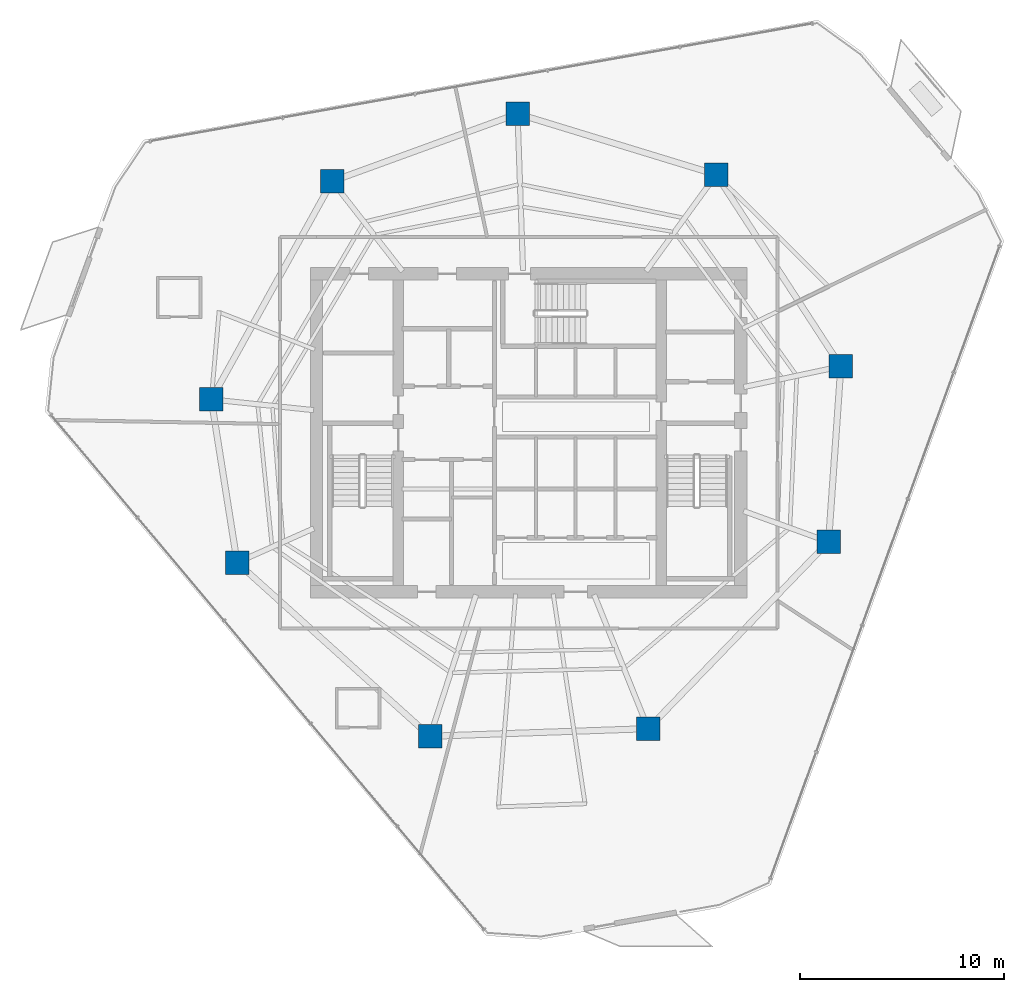
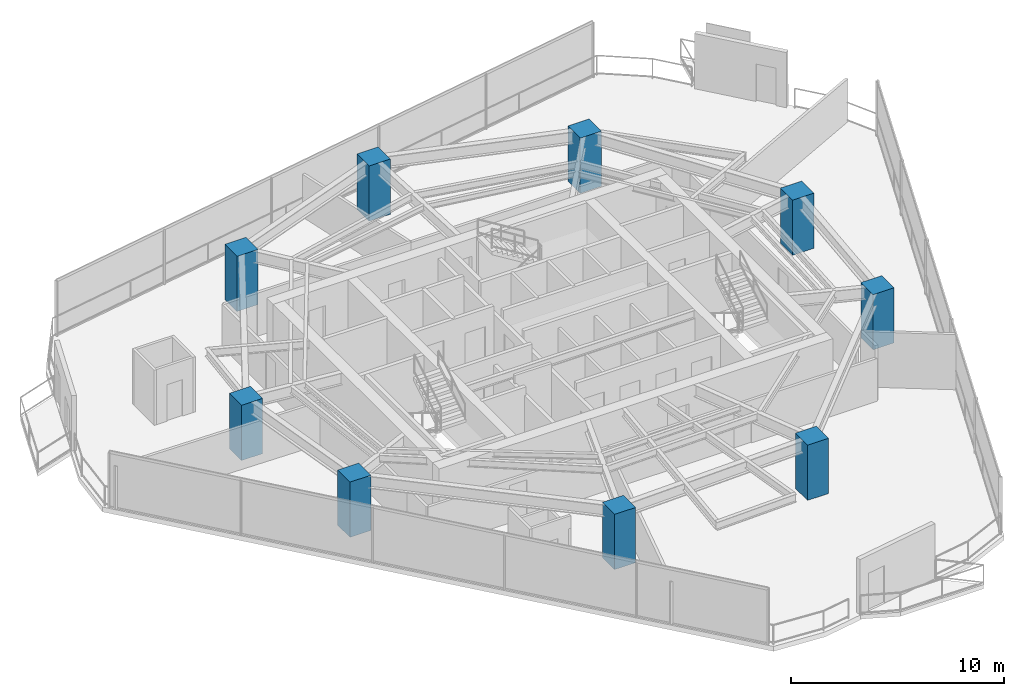
# One storey, part 1 of 27: 9 columns.
"""IFC4 building model written with IfcOpenShell, lengths in metres."""

from ifc_helpers import new_model, si_unit, direction, frame, origin, origin_2d, place, context, subcontext, project, spatial, rectangle, extrude, material, material_profile, profile_set, type_object, element, save


model = new_model("IFC4")

# Units and contexts
model_context = context("Model", 3, precision=1e-05, world=origin(), true_north=direction((0.0, 1.0)))
body_context = subcontext(model_context, "Body", "Model", "MODEL_VIEW")
ifc_project = project(units=[si_unit("LENGTHUNIT", "METRE"), si_unit("AREAUNIT", "SQUARE_METRE"), si_unit("VOLUMEUNIT", "CUBIC_METRE"), si_unit("PLANEANGLEUNIT", "RADIAN"), si_unit("MASSUNIT", "GRAM", prefix="KILO")], contexts=[model_context])

# Site, building, storey
site_placement = place(None, origin())
site = spatial("IfcSite", under=ifc_project, at=site_placement, CompositionType="ELEMENT")
building_placement = place(site_placement, origin())
building = spatial("IfcBuilding", under=site, at=building_placement, Name="Qarnah Convention Tower", CompositionType="ELEMENT")
storey_placement = place(building_placement, frame((0.0, 0.0, 103.949951171875)))
storey = spatial("IfcBuildingStorey", under=building, at=storey_placement, Name="L27", CompositionType="ELEMENT", Elevation=103.949951171875)

# Columns
ifc_material = material(Name="Concrete C60/75", Category="concrete")
ifc_material_profile = material_profile(ifc_material, rectangle(XDim=1.14990234375, YDim=1.14990234375, at=origin_2d()), Name="RC-COL-1150X1150")
ifc_profile_set = profile_set([ifc_material_profile], Name="Concrete C60/75")
column_type = type_object("IfcColumnType", Name="COL-Z2-1150", PredefinedType="COLUMN", material=ifc_profile_set)
for number, where, z_axis, x_axis, name in (
    (1, (52.508056640625, 29.654052734375, 0.0), (0.0, 0.0, 1.0), (1.0, 0.0, 0.0), "L27 plumb column PC-Z2-01"),
    (2, (46.39892578125, 39.06103515625, 0.0), (0.0, 0.0, 1.0), (1.0, 0.0, 0.0), "L27 plumb column PC-Z2-02"),
    (3, (36.654052734375, 42.0400390625, 0.0), (0.0, 0.0, 1.0), (1.0, 0.0, 0.0), "L27 plumb column PC-Z2-03"),
    (4, (27.56494140625, 38.73193359375, 0.0), (0.0, 0.0, 1.0), (1.0, 0.0, 0.0), "L27 plumb column PC-Z2-04"),
    (5, (21.635986328125, 28.035888671875, 0.0), (0.0, 0.0, 1.0), (1.0, 0.0, 0.0), "L27 plumb column PC-Z2-05"),
    (6, (22.903076171875, 20.034912109375, 0.0), (0.0, 0.0, 1.0), (1.0, 0.0, 0.0), "L27 plumb column PC-Z2-06"),
    (7, (32.364013671875, 11.51611328125, 0.0), (0.0, 0.0, 1.0), (1.0, 0.0, 0.0), "L27 plumb column PC-Z2-07"),
    (8, (43.06298828125, 11.889892578125, 0.0), (0.0, 0.0, 1.0), (1.0, 0.0, 0.0), "L27 plumb column PC-Z2-08"),
    (9, (51.906005859375, 21.047119140625, 0.0), (0.0, 0.0, 1.0), (1.0, 0.0, 0.0), "L27 plumb column PC-Z2-09"),
):
    element("IfcColumn", number, at=place(storey_placement, frame(where, z_axis=z_axis, x_axis=x_axis)), inside=storey, type_object=column_type, Name=name, PredefinedType="COLUMN", context=body_context, shape_type="SweptSolid", body=[
        extrude(rectangle(XDim=1.14990234375, YDim=1.14990234375, at=origin_2d()), origin(), (0.0, 0.0, 1.0), 3.170166015625),
    ])

save(model, "model.ifc")
